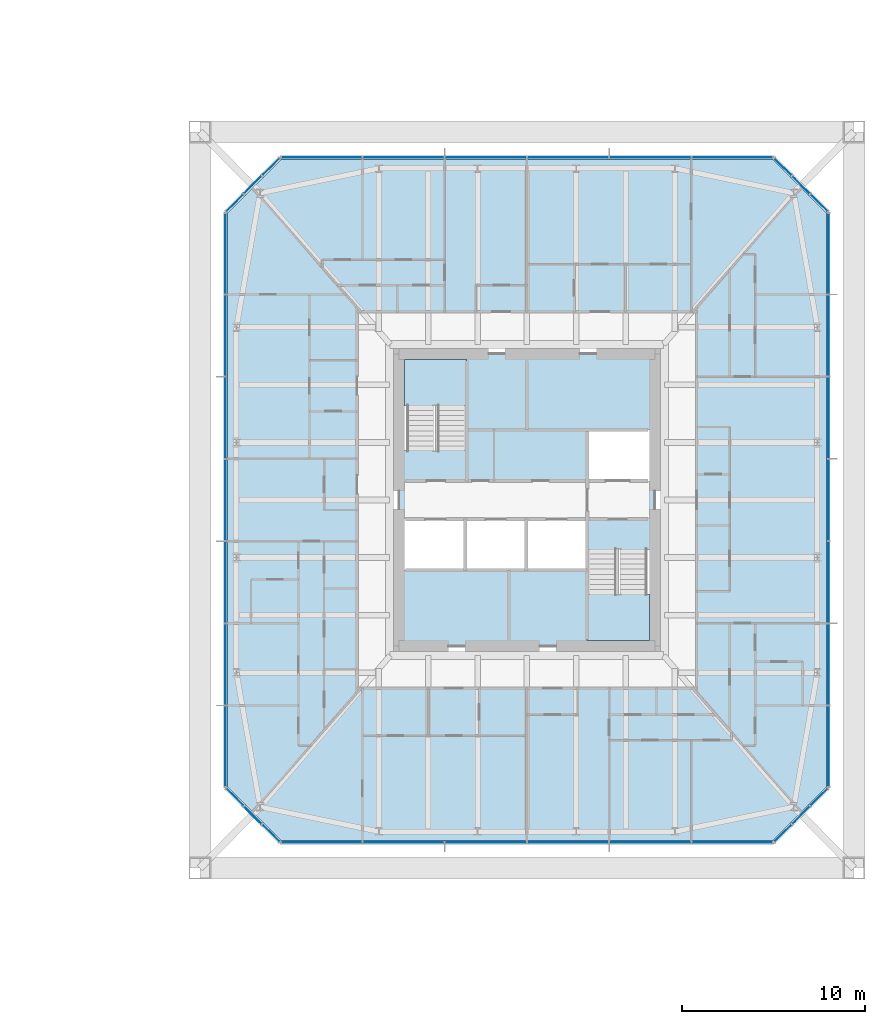
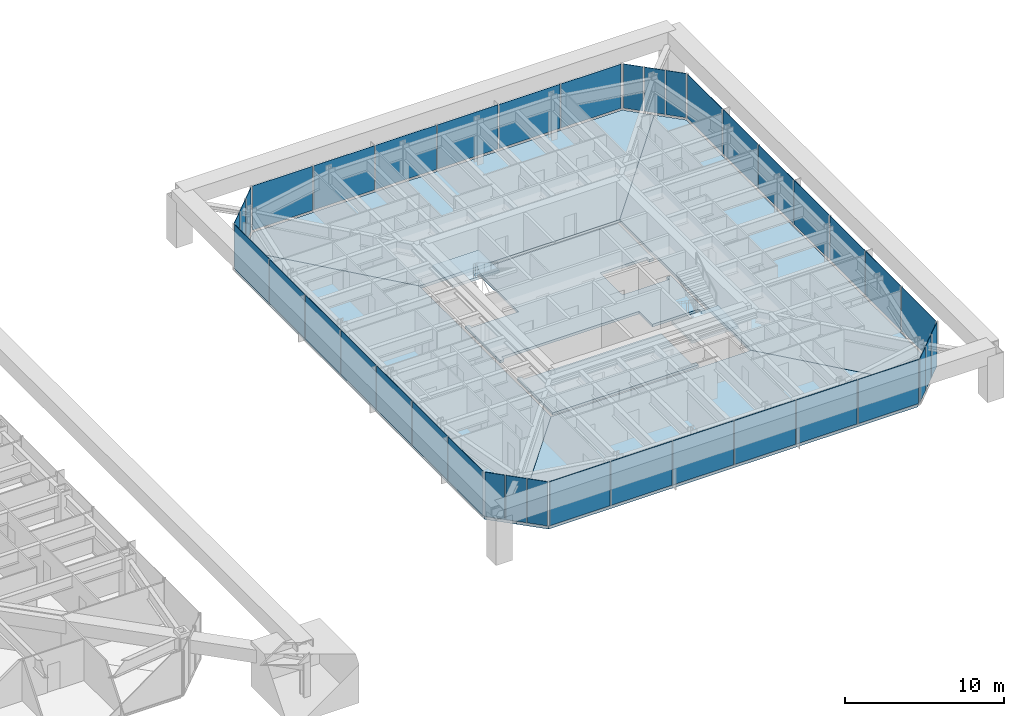
# One storey, part 19 of 32: 38 plates, 8 slabs, 10 elements without a shape of their own.
"""IFC4 building model written with IfcOpenShell, lengths in metres."""

from ifc_helpers import new_model, si_unit, direction, frame, origin, origin_2d, place, context, subcontext, project, spatial, polyline, rectangle, outline, extrude, material, layer, layer_set, constituent, constituent_set, type_object, element, aggregate, save


model = new_model("IFC4")

# Units and contexts
model_context = context("Model", 3, precision=1e-05, world=origin(), true_north=direction((0.0, 1.0)))
body_context = subcontext(model_context, "Body", "Model", "MODEL_VIEW")
ifc_project = project(units=[si_unit("LENGTHUNIT", "METRE"), si_unit("AREAUNIT", "SQUARE_METRE"), si_unit("VOLUMEUNIT", "CUBIC_METRE"), si_unit("PLANEANGLEUNIT", "RADIAN"), si_unit("MASSUNIT", "GRAM", prefix="KILO")], contexts=[model_context])

# Site, building, storey
site_placement = place(None, origin())
site = spatial("IfcSite", under=ifc_project, at=site_placement, CompositionType="ELEMENT")
building_placement = place(site_placement, origin())
building = spatial("IfcBuilding", under=site, at=building_placement, Name="Iwan Alto Co-Living Towers", CompositionType="ELEMENT")
storey_placement = place(building_placement, frame((0.0, 0.0, 71.0)))
storey = spatial("IfcBuildingStorey", under=building, at=storey_placement, Name="L19", CompositionType="ELEMENT", Elevation=71.0)

# Slabs
ifc_material_1 = material(Name="Concrete f'c 30 MPa", Category="concrete")
ifc_layer_1 = layer(ifc_material_1, 0.199951171875)
ifc_layer_set_1 = layer_set([ifc_layer_1], Name="CORE FLOOR SLAB 200")
slab_type_1 = type_object("IfcSlabType", Name="CORE FLOOR SLAB 200", PredefinedType="FLOOR", material=ifc_layer_set_1)
slab_1_placement = place(storey_placement, frame((0.0, 0.0, -0.199951171875)))
element("IfcSlab", 1, at=slab_1_placement, inside=storey, type_object=slab_type_1, Name="T2 core floor L19", PredefinedType="FLOOR", context=body_context, shape_type="SweptSolid", body=[
    extrude(outline(polyline([(70.0, -3.030029296875), (69.699951171875, -3.030029296875), (69.699951171875, -2.719970703125), (66.300048828125, -2.719970703125), (66.300048828125, -1.050048828125), (62.967041015625, -1.050048828125), (59.633056640625, -1.050048828125), (56.300048828125, -1.050048828125), (56.300048828125, -1.360107421875), (56.0, -1.360107421875), (56.0, 3.030029296875), (56.300048828125, 3.030029296875), (56.300048828125, 2.719970703125), (59.699951171875, 2.719970703125), (59.699951171875, 7.699951171875), (59.389892578125, 7.699951171875), (59.389892578125, 8.0), (70.0, 8.0), (70.0, 3.5400390625), (69.699951171875, 3.5400390625), (69.699951171875, 3.85009765625), (66.300048828125, 3.85009765625), (66.300048828125, 1.050048828125), (69.699951171875, 1.050048828125), (69.699951171875, 1.360107421875), (70.0, 1.360107421875), (70.0, -3.030029296875)])), origin(), (0.0, 0.0, 1.0), 0.199951171875),
])
slab_2_placement = place(storey_placement, frame((0.0, 0.0, -0.199951171875)))
element("IfcSlab", 2, at=slab_2_placement, inside=storey, type_object=slab_type_1, Name="T2 core floor L19", PredefinedType="FLOOR", context=body_context, shape_type="SweptSolid", body=[
    extrude(outline(polyline([(62.967041015625, -3.85009765625), (66.300048828125, -3.85009765625), (66.300048828125, -7.699951171875), (66.610107421875, -7.699951171875), (66.610107421875, -8.0), (56.0, -8.0), (56.0, -3.5400390625), (56.300048828125, -3.5400390625), (56.300048828125, -3.85009765625), (59.633056640625, -3.85009765625), (62.967041015625, -3.85009765625)])), origin(), (0.0, 0.0, 1.0), 0.199951171875),
])

# Curtain wall, plates
ifc_material_2 = material(Name="Bronze aluminium unitised frame", Category="aluminium")
curtain_wall_type_1 = type_object("IfcCurtainWallType", Name="CURTAIN WALL CW-C", PredefinedType="NOTDEFINED", material=ifc_material_2)
curtain_wall_1_placement = place(storey_placement, origin())
curtain_wall_1 = element("IfcCurtainWall", 3, at=curtain_wall_1_placement, inside=storey, type_object=curtain_wall_type_1, Name="T2 curtain wall S L19", PredefinedType="NOTDEFINED")
ifc_material_3 = material(Name="Bronze-tinted insulating glass", Category="glass")
ifc_layer_2 = layer(ifc_material_3, 0.031982421875)
ifc_layer_set_2 = layer_set([ifc_layer_2], Name="CW-C PANEL TINTED IGU 32")
plate_type_1 = type_object("IfcPlateType", Name="CW-C PANEL TINTED IGU 32", PredefinedType="CURTAIN_PANEL", material=ifc_layer_set_2)
plate_1_placement = place(storey_placement, frame((51.77001953125, -18.75, 0.10009765625), z_axis=(0.0, 0.0, 1.0), x_axis=(1.0, 0.0, 0.0)))
plate_1 = element("IfcPlate", 4, at=plate_1_placement, type_object=plate_type_1, Name="CW-C panel 1.1", PredefinedType="CURTAIN_PANEL", context=body_context, shape_type="SweptSolid", body=[
    extrude(rectangle(XDim=4.3798828125, YDim=0.031982421875, at=origin_2d()), origin(), (0.0, 0.0, 1.0), 3.39990234375),
])
plate_2_placement = place(storey_placement, frame((56.25, -18.75, 0.10009765625), z_axis=(0.0, 0.0, 1.0), x_axis=(1.0, 0.0, 0.0)))
plate_2 = element("IfcPlate", 5, at=plate_2_placement, type_object=plate_type_1, Name="CW-C panel 2.1", PredefinedType="CURTAIN_PANEL", context=body_context, shape_type="SweptSolid", body=[
    extrude(rectangle(XDim=4.419921875, YDim=0.031982421875, at=origin_2d()), origin(), (0.0, 0.0, 1.0), 3.39990234375),
])
plate_3_placement = place(storey_placement, frame((60.75, -18.75, 0.10009765625), z_axis=(0.0, 0.0, 1.0), x_axis=(1.0, 0.0, 0.0)))
plate_3 = element("IfcPlate", 6, at=plate_3_placement, type_object=plate_type_1, Name="CW-C panel 3.1", PredefinedType="CURTAIN_PANEL", context=body_context, shape_type="SweptSolid", body=[
    extrude(rectangle(XDim=4.419921875, YDim=0.031982421875, at=origin_2d()), origin(), (0.0, 0.0, 1.0), 3.39990234375),
])
plate_4_placement = place(storey_placement, frame((65.25, -18.75, 0.10009765625), z_axis=(0.0, 0.0, 1.0), x_axis=(1.0, 0.0, 0.0)))
plate_4 = element("IfcPlate", 7, at=plate_4_placement, type_object=plate_type_1, Name="CW-C panel 4.1", PredefinedType="CURTAIN_PANEL", context=body_context, shape_type="SweptSolid", body=[
    extrude(rectangle(XDim=4.419921875, YDim=0.031982421875, at=origin_2d()), origin(), (0.0, 0.0, 1.0), 3.39990234375),
])
plate_5_placement = place(storey_placement, frame((69.75, -18.75, 0.10009765625), z_axis=(0.0, 0.0, 1.0), x_axis=(1.0, 0.0, 0.0)))
plate_5 = element("IfcPlate", 8, at=plate_5_placement, type_object=plate_type_1, Name="CW-C panel 5.1", PredefinedType="CURTAIN_PANEL", context=body_context, shape_type="SweptSolid", body=[
    extrude(rectangle(XDim=4.419921875, YDim=0.031982421875, at=origin_2d()), origin(), (0.0, 0.0, 1.0), 3.39990234375),
])
plate_6_placement = place(storey_placement, frame((74.22998046875, -18.75, 0.10009765625), z_axis=(0.0, 0.0, 1.0), x_axis=(1.0, 0.0, 0.0)))
plate_6 = element("IfcPlate", 9, at=plate_6_placement, type_object=plate_type_1, Name="CW-C panel 6.1", PredefinedType="CURTAIN_PANEL", context=body_context, shape_type="SweptSolid", body=[
    extrude(rectangle(XDim=4.3798828125, YDim=0.031982421875, at=origin_2d()), origin(), (0.0, 0.0, 1.0), 3.39990234375),
])
aggregate(curtain_wall_1, [plate_1, plate_2, plate_3, plate_4, plate_5, plate_6])

curtain_wall_2_placement = place(storey_placement, origin())
curtain_wall_2 = element("IfcCurtainWall", 10, at=curtain_wall_2_placement, inside=storey, type_object=curtain_wall_type_1, Name="T2 curtain wall E L19", PredefinedType="NOTDEFINED")
plate_7_placement = place(storey_placement, frame((79.5, -13.47998046875, 0.10009765625), z_axis=(0.0, 0.0, 1.0), x_axis=(0.0, 1.0, 0.0)))
plate_7 = element("IfcPlate", 11, at=plate_7_placement, type_object=plate_type_1, Name="CW-C panel 1.1", PredefinedType="CURTAIN_PANEL", context=body_context, shape_type="SweptSolid", body=[
    extrude(rectangle(XDim=4.3798828125, YDim=0.031982421875, at=origin_2d()), origin(), (0.0, 0.0, 1.0), 3.39990234375),
])
plate_8_placement = place(storey_placement, frame((79.5, -9.0, 0.10009765625), z_axis=(0.0, 0.0, 1.0), x_axis=(0.0, 1.0, 0.0)))
plate_8 = element("IfcPlate", 12, at=plate_8_placement, type_object=plate_type_1, Name="CW-C panel 2.1", PredefinedType="CURTAIN_PANEL", context=body_context, shape_type="SweptSolid", body=[
    extrude(rectangle(XDim=4.419921875, YDim=0.031982421875, at=origin_2d()), origin(), (0.0, 0.0, 1.0), 3.39990234375),
])
plate_9_placement = place(storey_placement, frame((79.5, -4.5, 0.10009765625), z_axis=(0.0, 0.0, 1.0), x_axis=(0.0, 1.0, 0.0)))
plate_9 = element("IfcPlate", 13, at=plate_9_placement, type_object=plate_type_1, Name="CW-C panel 3.1", PredefinedType="CURTAIN_PANEL", context=body_context, shape_type="SweptSolid", body=[
    extrude(rectangle(XDim=4.419921875, YDim=0.031982421875, at=origin_2d()), origin(), (0.0, 0.0, 1.0), 3.39990234375),
])
plate_10_placement = place(storey_placement, frame((79.5, 0.0, 0.10009765625), z_axis=(0.0, 0.0, 1.0), x_axis=(0.0, 1.0, 0.0)))
plate_10 = element("IfcPlate", 14, at=plate_10_placement, type_object=plate_type_1, Name="CW-C panel 4.1", PredefinedType="CURTAIN_PANEL", context=body_context, shape_type="SweptSolid", body=[
    extrude(rectangle(XDim=4.419921875, YDim=0.031982421875, at=origin_2d()), origin(), (0.0, 0.0, 1.0), 3.39990234375),
])
plate_11_placement = place(storey_placement, frame((79.5, 4.5, 0.10009765625), z_axis=(0.0, 0.0, 1.0), x_axis=(0.0, 1.0, 0.0)))
plate_11 = element("IfcPlate", 15, at=plate_11_placement, type_object=plate_type_1, Name="CW-C panel 5.1", PredefinedType="CURTAIN_PANEL", context=body_context, shape_type="SweptSolid", body=[
    extrude(rectangle(XDim=4.419921875, YDim=0.031982421875, at=origin_2d()), origin(), (0.0, 0.0, 1.0), 3.39990234375),
])
plate_12_placement = place(storey_placement, frame((79.5, 9.0, 0.10009765625), z_axis=(0.0, 0.0, 1.0), x_axis=(0.0, 1.0, 0.0)))
plate_12 = element("IfcPlate", 16, at=plate_12_placement, type_object=plate_type_1, Name="CW-C panel 6.1", PredefinedType="CURTAIN_PANEL", context=body_context, shape_type="SweptSolid", body=[
    extrude(rectangle(XDim=4.419921875, YDim=0.031982421875, at=origin_2d()), origin(), (0.0, 0.0, 1.0), 3.39990234375),
])
plate_13_placement = place(storey_placement, frame((79.5, 13.47998046875, 0.10009765625), z_axis=(0.0, 0.0, 1.0), x_axis=(0.0, 1.0, 0.0)))
plate_13 = element("IfcPlate", 17, at=plate_13_placement, type_object=plate_type_1, Name="CW-C panel 7.1", PredefinedType="CURTAIN_PANEL", context=body_context, shape_type="SweptSolid", body=[
    extrude(rectangle(XDim=4.3798828125, YDim=0.031982421875, at=origin_2d()), origin(), (0.0, 0.0, 1.0), 3.39990234375),
])
aggregate(curtain_wall_2, [plate_7, plate_8, plate_9, plate_10, plate_11, plate_12, plate_13])

curtain_wall_3_placement = place(storey_placement, origin())
curtain_wall_3 = element("IfcCurtainWall", 18, at=curtain_wall_3_placement, inside=storey, type_object=curtain_wall_type_1, Name="T2 curtain wall N L19", PredefinedType="NOTDEFINED")
plate_14_placement = place(storey_placement, frame((74.22998046875, 18.75, 0.10009765625), z_axis=(0.0, 0.0, 1.0), x_axis=(-1.0, 0.0, 0.0)))
plate_14 = element("IfcPlate", 19, at=plate_14_placement, type_object=plate_type_1, Name="CW-C panel 1.1", PredefinedType="CURTAIN_PANEL", context=body_context, shape_type="SweptSolid", body=[
    extrude(rectangle(XDim=4.3798828125, YDim=0.031982421875, at=origin_2d()), origin(), (0.0, 0.0, 1.0), 3.39990234375),
])
plate_15_placement = place(storey_placement, frame((69.75, 18.75, 0.10009765625), z_axis=(0.0, 0.0, 1.0), x_axis=(-1.0, 0.0, 0.0)))
plate_15 = element("IfcPlate", 20, at=plate_15_placement, type_object=plate_type_1, Name="CW-C panel 2.1", PredefinedType="CURTAIN_PANEL", context=body_context, shape_type="SweptSolid", body=[
    extrude(rectangle(XDim=4.419921875, YDim=0.031982421875, at=origin_2d()), origin(), (0.0, 0.0, 1.0), 3.39990234375),
])
plate_16_placement = place(storey_placement, frame((65.25, 18.75, 0.10009765625), z_axis=(0.0, 0.0, 1.0), x_axis=(-1.0, 0.0, 0.0)))
plate_16 = element("IfcPlate", 21, at=plate_16_placement, type_object=plate_type_1, Name="CW-C panel 3.1", PredefinedType="CURTAIN_PANEL", context=body_context, shape_type="SweptSolid", body=[
    extrude(rectangle(XDim=4.419921875, YDim=0.031982421875, at=origin_2d()), origin(), (0.0, 0.0, 1.0), 3.39990234375),
])
plate_17_placement = place(storey_placement, frame((60.75, 18.75, 0.10009765625), z_axis=(0.0, 0.0, 1.0), x_axis=(-1.0, 0.0, 0.0)))
plate_17 = element("IfcPlate", 22, at=plate_17_placement, type_object=plate_type_1, Name="CW-C panel 4.1", PredefinedType="CURTAIN_PANEL", context=body_context, shape_type="SweptSolid", body=[
    extrude(rectangle(XDim=4.419921875, YDim=0.031982421875, at=origin_2d()), origin(), (0.0, 0.0, 1.0), 3.39990234375),
])
plate_18_placement = place(storey_placement, frame((56.25, 18.75, 0.10009765625), z_axis=(0.0, 0.0, 1.0), x_axis=(-1.0, 0.0, 0.0)))
plate_18 = element("IfcPlate", 23, at=plate_18_placement, type_object=plate_type_1, Name="CW-C panel 5.1", PredefinedType="CURTAIN_PANEL", context=body_context, shape_type="SweptSolid", body=[
    extrude(rectangle(XDim=4.419921875, YDim=0.031982421875, at=origin_2d()), origin(), (0.0, 0.0, 1.0), 3.39990234375),
])
plate_19_placement = place(storey_placement, frame((51.77001953125, 18.75, 0.10009765625), z_axis=(0.0, 0.0, 1.0), x_axis=(-1.0, 0.0, 0.0)))
plate_19 = element("IfcPlate", 24, at=plate_19_placement, type_object=plate_type_1, Name="CW-C panel 6.1", PredefinedType="CURTAIN_PANEL", context=body_context, shape_type="SweptSolid", body=[
    extrude(rectangle(XDim=4.3798828125, YDim=0.031982421875, at=origin_2d()), origin(), (0.0, 0.0, 1.0), 3.39990234375),
])
aggregate(curtain_wall_3, [plate_14, plate_15, plate_16, plate_17, plate_18, plate_19])

curtain_wall_4_placement = place(storey_placement, origin())
curtain_wall_4 = element("IfcCurtainWall", 25, at=curtain_wall_4_placement, inside=storey, type_object=curtain_wall_type_1, Name="T2 curtain wall W L19", PredefinedType="NOTDEFINED")
plate_20_placement = place(storey_placement, frame((46.5, 13.47998046875, 0.10009765625), z_axis=(0.0, 0.0, 1.0), x_axis=(0.0, -1.0, 0.0)))
plate_20 = element("IfcPlate", 26, at=plate_20_placement, type_object=plate_type_1, Name="CW-C panel 1.1", PredefinedType="CURTAIN_PANEL", context=body_context, shape_type="SweptSolid", body=[
    extrude(rectangle(XDim=4.3798828125, YDim=0.031982421875, at=origin_2d()), origin(), (0.0, 0.0, 1.0), 3.39990234375),
])
plate_21_placement = place(storey_placement, frame((46.5, 9.0, 0.10009765625), z_axis=(0.0, 0.0, 1.0), x_axis=(0.0, -1.0, 0.0)))
plate_21 = element("IfcPlate", 27, at=plate_21_placement, type_object=plate_type_1, Name="CW-C panel 2.1", PredefinedType="CURTAIN_PANEL", context=body_context, shape_type="SweptSolid", body=[
    extrude(rectangle(XDim=4.419921875, YDim=0.031982421875, at=origin_2d()), origin(), (0.0, 0.0, 1.0), 3.39990234375),
])
plate_22_placement = place(storey_placement, frame((46.5, 4.5, 0.10009765625), z_axis=(0.0, 0.0, 1.0), x_axis=(0.0, -1.0, 0.0)))
plate_22 = element("IfcPlate", 28, at=plate_22_placement, type_object=plate_type_1, Name="CW-C panel 3.1", PredefinedType="CURTAIN_PANEL", context=body_context, shape_type="SweptSolid", body=[
    extrude(rectangle(XDim=4.419921875, YDim=0.031982421875, at=origin_2d()), origin(), (0.0, 0.0, 1.0), 3.39990234375),
])
plate_23_placement = place(storey_placement, frame((46.5, 0.0, 0.10009765625), z_axis=(0.0, 0.0, 1.0), x_axis=(0.0, -1.0, 0.0)))
plate_23 = element("IfcPlate", 29, at=plate_23_placement, type_object=plate_type_1, Name="CW-C panel 4.1", PredefinedType="CURTAIN_PANEL", context=body_context, shape_type="SweptSolid", body=[
    extrude(rectangle(XDim=4.419921875, YDim=0.031982421875, at=origin_2d()), origin(), (0.0, 0.0, 1.0), 3.39990234375),
])
plate_24_placement = place(storey_placement, frame((46.5, -4.5, 0.10009765625), z_axis=(0.0, 0.0, 1.0), x_axis=(0.0, -1.0, 0.0)))
plate_24 = element("IfcPlate", 30, at=plate_24_placement, type_object=plate_type_1, Name="CW-C panel 5.1", PredefinedType="CURTAIN_PANEL", context=body_context, shape_type="SweptSolid", body=[
    extrude(rectangle(XDim=4.419921875, YDim=0.031982421875, at=origin_2d()), origin(), (0.0, 0.0, 1.0), 3.39990234375),
])
plate_25_placement = place(storey_placement, frame((46.5, -9.0, 0.10009765625), z_axis=(0.0, 0.0, 1.0), x_axis=(0.0, -1.0, 0.0)))
plate_25 = element("IfcPlate", 31, at=plate_25_placement, type_object=plate_type_1, Name="CW-C panel 6.1", PredefinedType="CURTAIN_PANEL", context=body_context, shape_type="SweptSolid", body=[
    extrude(rectangle(XDim=4.419921875, YDim=0.031982421875, at=origin_2d()), origin(), (0.0, 0.0, 1.0), 3.39990234375),
])
plate_26_placement = place(storey_placement, frame((46.5, -13.47998046875, 0.10009765625), z_axis=(0.0, 0.0, 1.0), x_axis=(0.0, -1.0, 0.0)))
plate_26 = element("IfcPlate", 32, at=plate_26_placement, type_object=plate_type_1, Name="CW-C panel 7.1", PredefinedType="CURTAIN_PANEL", context=body_context, shape_type="SweptSolid", body=[
    extrude(rectangle(XDim=4.3798828125, YDim=0.031982421875, at=origin_2d()), origin(), (0.0, 0.0, 1.0), 3.39990234375),
])
aggregate(curtain_wall_4, [plate_20, plate_21, plate_22, plate_23, plate_24, plate_25, plate_26])

ifc_material_4 = material(Name="Bronze aluminium unitised frame", Category="aluminium")
curtain_wall_type_2 = type_object("IfcCurtainWallType", Name="CURTAIN WALL CW-D", PredefinedType="NOTDEFINED", material=ifc_material_4)
curtain_wall_5_placement = place(storey_placement, origin())
curtain_wall_5 = element("IfcCurtainWall", 33, at=curtain_wall_5_placement, inside=storey, type_object=curtain_wall_type_2, Name="T2 chamfer curtain wall SE L19", PredefinedType="NOTDEFINED")
ifc_material_5 = material(Name="Bronze-tinted insulating glass", Category="glass")
ifc_layer_3 = layer(ifc_material_5, 0.031982421875)
ifc_layer_set_3 = layer_set([ifc_layer_3], Name="CW-D PANEL TINTED IGU 32")
plate_type_2 = type_object("IfcPlateType", Name="CW-D PANEL TINTED IGU 32", PredefinedType="CURTAIN_PANEL", material=ifc_layer_set_3)
plate_27_placement = place(storey_placement, frame((77.01416015625, -18.23583984375, 0.10009765625), z_axis=(0.0, 0.0, 1.0), x_axis=(0.707106781187, 0.707106781187, 0.0)))
plate_27 = element("IfcPlate", 34, at=plate_27_placement, type_object=plate_type_2, Name="CW-D panel 1.1", PredefinedType="CURTAIN_PANEL", context=body_context, shape_type="SweptSolid", body=[
    extrude(rectangle(XDim=1.294189453125, YDim=0.031982421875, at=origin_2d()), origin(), (0.0, 0.0, 1.0), 3.39990234375),
])
plate_28_placement = place(storey_placement, frame((78.0, -17.25, 0.10009765625), z_axis=(0.0, 0.0, 1.0), x_axis=(0.707106781187, 0.707106781187, 0.0)))
plate_28 = element("IfcPlate", 35, at=plate_28_placement, type_object=plate_type_2, Name="CW-D panel 2.1", PredefinedType="CURTAIN_PANEL", context=body_context, shape_type="SweptSolid", body=[
    extrude(rectangle(XDim=1.334228515625, YDim=0.031982421875, at=origin_2d()), origin(), (0.0, 0.0, 1.0), 3.39990234375),
])
plate_29_placement = place(storey_placement, frame((78.98583984375, -16.26416015625, 0.10009765625), z_axis=(0.0, 0.0, 1.0), x_axis=(0.707106781187, 0.707106781187, 0.0)))
plate_29 = element("IfcPlate", 36, at=plate_29_placement, type_object=plate_type_2, Name="CW-D panel 3.1", PredefinedType="CURTAIN_PANEL", context=body_context, shape_type="SweptSolid", body=[
    extrude(rectangle(XDim=1.294189453125, YDim=0.031982421875, at=origin_2d()), origin(), (0.0, 0.0, 1.0), 3.39990234375),
])
aggregate(curtain_wall_5, [plate_27, plate_28, plate_29])

curtain_wall_6_placement = place(storey_placement, origin())
curtain_wall_6 = element("IfcCurtainWall", 37, at=curtain_wall_6_placement, inside=storey, type_object=curtain_wall_type_2, Name="T2 chamfer curtain wall NE L19", PredefinedType="NOTDEFINED")
plate_30_placement = place(storey_placement, frame((78.98583984375, 16.26416015625, 0.10009765625), z_axis=(0.0, 0.0, 1.0), x_axis=(-0.707106781187, 0.707106781187, 0.0)))
plate_30 = element("IfcPlate", 38, at=plate_30_placement, type_object=plate_type_2, Name="CW-D panel 1.1", PredefinedType="CURTAIN_PANEL", context=body_context, shape_type="SweptSolid", body=[
    extrude(rectangle(XDim=1.294189453125, YDim=0.031982421875, at=origin_2d()), origin(), (0.0, 0.0, 1.0), 3.39990234375),
])
plate_31_placement = place(storey_placement, frame((78.0, 17.25, 0.10009765625), z_axis=(0.0, 0.0, 1.0), x_axis=(-0.707106781187, 0.707106781187, 0.0)))
plate_31 = element("IfcPlate", 39, at=plate_31_placement, type_object=plate_type_2, Name="CW-D panel 2.1", PredefinedType="CURTAIN_PANEL", context=body_context, shape_type="SweptSolid", body=[
    extrude(rectangle(XDim=1.334228515625, YDim=0.031982421875, at=origin_2d()), origin(), (0.0, 0.0, 1.0), 3.39990234375),
])
plate_32_placement = place(storey_placement, frame((77.01416015625, 18.23583984375, 0.10009765625), z_axis=(0.0, 0.0, 1.0), x_axis=(-0.707106781187, 0.707106781187, 0.0)))
plate_32 = element("IfcPlate", 40, at=plate_32_placement, type_object=plate_type_2, Name="CW-D panel 3.1", PredefinedType="CURTAIN_PANEL", context=body_context, shape_type="SweptSolid", body=[
    extrude(rectangle(XDim=1.294189453125, YDim=0.031982421875, at=origin_2d()), origin(), (0.0, 0.0, 1.0), 3.39990234375),
])
aggregate(curtain_wall_6, [plate_30, plate_31, plate_32])

curtain_wall_7_placement = place(storey_placement, origin())
curtain_wall_7 = element("IfcCurtainWall", 41, at=curtain_wall_7_placement, inside=storey, type_object=curtain_wall_type_2, Name="T2 chamfer curtain wall NW L19", PredefinedType="NOTDEFINED")
plate_33_placement = place(storey_placement, frame((48.98583984375, 18.23583984375, 0.10009765625), z_axis=(0.0, 0.0, 1.0), x_axis=(-0.707106781187, -0.707106781187, 0.0)))
plate_33 = element("IfcPlate", 42, at=plate_33_placement, type_object=plate_type_2, Name="CW-D panel 1.1", PredefinedType="CURTAIN_PANEL", context=body_context, shape_type="SweptSolid", body=[
    extrude(rectangle(XDim=1.294189453125, YDim=0.031982421875, at=origin_2d()), origin(), (0.0, 0.0, 1.0), 3.39990234375),
])
plate_34_placement = place(storey_placement, frame((48.0, 17.25, 0.10009765625), z_axis=(0.0, 0.0, 1.0), x_axis=(-0.707106781187, -0.707106781187, 0.0)))
plate_34 = element("IfcPlate", 43, at=plate_34_placement, type_object=plate_type_2, Name="CW-D panel 2.1", PredefinedType="CURTAIN_PANEL", context=body_context, shape_type="SweptSolid", body=[
    extrude(rectangle(XDim=1.334228515625, YDim=0.031982421875, at=origin_2d()), origin(), (0.0, 0.0, 1.0), 3.39990234375),
])
plate_35_placement = place(storey_placement, frame((47.01416015625, 16.26416015625, 0.10009765625), z_axis=(0.0, 0.0, 1.0), x_axis=(-0.707106781187, -0.707106781187, 0.0)))
plate_35 = element("IfcPlate", 44, at=plate_35_placement, type_object=plate_type_2, Name="CW-D panel 3.1", PredefinedType="CURTAIN_PANEL", context=body_context, shape_type="SweptSolid", body=[
    extrude(rectangle(XDim=1.294189453125, YDim=0.031982421875, at=origin_2d()), origin(), (0.0, 0.0, 1.0), 3.39990234375),
])
aggregate(curtain_wall_7, [plate_33, plate_34, plate_35])

curtain_wall_8_placement = place(storey_placement, origin())
curtain_wall_8 = element("IfcCurtainWall", 45, at=curtain_wall_8_placement, inside=storey, type_object=curtain_wall_type_2, Name="T2 chamfer curtain wall SW L19", PredefinedType="NOTDEFINED")
plate_36_placement = place(storey_placement, frame((47.01416015625, -16.26416015625, 0.10009765625), z_axis=(0.0, 0.0, 1.0), x_axis=(0.707106781187, -0.707106781187, 0.0)))
plate_36 = element("IfcPlate", 46, at=plate_36_placement, type_object=plate_type_2, Name="CW-D panel 1.1", PredefinedType="CURTAIN_PANEL", context=body_context, shape_type="SweptSolid", body=[
    extrude(rectangle(XDim=1.294189453125, YDim=0.031982421875, at=origin_2d()), origin(), (0.0, 0.0, 1.0), 3.39990234375),
])
plate_37_placement = place(storey_placement, frame((48.0, -17.25, 0.10009765625), z_axis=(0.0, 0.0, 1.0), x_axis=(0.707106781187, -0.707106781187, 0.0)))
plate_37 = element("IfcPlate", 47, at=plate_37_placement, type_object=plate_type_2, Name="CW-D panel 2.1", PredefinedType="CURTAIN_PANEL", context=body_context, shape_type="SweptSolid", body=[
    extrude(rectangle(XDim=1.334228515625, YDim=0.031982421875, at=origin_2d()), origin(), (0.0, 0.0, 1.0), 3.39990234375),
])
plate_38_placement = place(storey_placement, frame((48.98583984375, -18.23583984375, 0.10009765625), z_axis=(0.0, 0.0, 1.0), x_axis=(0.707106781187, -0.707106781187, 0.0)))
plate_38 = element("IfcPlate", 48, at=plate_38_placement, type_object=plate_type_2, Name="CW-D panel 3.1", PredefinedType="CURTAIN_PANEL", context=body_context, shape_type="SweptSolid", body=[
    extrude(rectangle(XDim=1.294189453125, YDim=0.031982421875, at=origin_2d()), origin(), (0.0, 0.0, 1.0), 3.39990234375),
])
aggregate(curtain_wall_8, [plate_36, plate_37, plate_38])

# Stair, slab
ifc_material_6 = material(Name="Steel ASTM A36", Category="steel")
ifc_constituent_1 = constituent(ifc_material_6, Name="Stringers", Category="LoadBearing")
ifc_material_7 = material(Name="Concrete f'c 30 MPa", Category="concrete")
ifc_constituent_2 = constituent(ifc_material_7, Name="Tread fill", Category="Finish")
ifc_constituent_set = constituent_set(constituents=[ifc_constituent_1, ifc_constituent_2], Name="STAIR 3500 TWO-FLIGHT T2 CORE")
stair_type = type_object("IfcStairType", Name="STAIR 3500 TWO-FLIGHT T2 CORE", PredefinedType="HALF_TURN_STAIR", material=ifc_constituent_set)
stair_1_placement = place(storey_placement, origin())
stair_1 = element("IfcStair", 49, at=stair_1_placement, inside=storey, type_object=stair_type, Name="Stair T2-S1 L19 to L20", PredefinedType="HALF_TURN_STAIR")
ifc_material_8 = material(Name="Concrete f'c 30 MPa", Category="concrete")
ifc_layer_4 = layer(ifc_material_8, 0.199951171875)
ifc_layer_set_4 = layer_set([ifc_layer_4], Name="STAIR LANDING 200")
slab_type_2 = type_object("IfcSlabType", Name="STAIR LANDING 200", PredefinedType="LANDING", material=ifc_layer_set_4)
slab_3_placement = place(storey_placement, frame((0.0, 0.0, 1.550048828125)))
slab_3 = element("IfcSlab", 50, at=slab_3_placement, type_object=slab_type_2, Name="T2-S1 landing 1", PredefinedType="LANDING", context=body_context, shape_type="SweptSolid", body=[
    extrude(outline(polyline([(56.300048828125, 5.139892578125), (56.300048828125, 7.699951171875), (59.699951171875, 7.699951171875), (59.699951171875, 5.139892578125), (56.300048828125, 5.139892578125)])), origin(), (0.0, 0.0, 1.0), 0.199951171875),
])
aggregate(stair_1, [slab_3])

stair_2_placement = place(storey_placement, origin())
stair_2 = element("IfcStair", 51, at=stair_2_placement, inside=storey, type_object=stair_type, Name="Stair T2-S2 L19 to L20", PredefinedType="HALF_TURN_STAIR")
slab_4_placement = place(storey_placement, frame((0.0, 0.0, 1.550048828125)))
slab_4 = element("IfcSlab", 52, at=slab_4_placement, type_object=slab_type_2, Name="T2-S2 landing 1", PredefinedType="LANDING", context=body_context, shape_type="SweptSolid", body=[
    extrude(outline(polyline([(66.300048828125, -5.139892578125), (66.300048828125, -7.699951171875), (69.699951171875, -7.699951171875), (69.699951171875, -5.139892578125), (66.300048828125, -5.139892578125)])), origin(), (0.0, 0.0, 1.0), 0.199951171875),
])
aggregate(stair_2, [slab_4])

# Slabs
ifc_material_9 = material(Name="Concrete f'c 30 MPa", Category="concrete")
ifc_layer_5 = layer(ifc_material_9, 0.22998046875)
ifc_layer_set_5 = layer_set([ifc_layer_5], Name="T2 FLOOR SLAB 230")
slab_type_3 = type_object("IfcSlabType", Name="T2 FLOOR SLAB 230", PredefinedType="FLOOR", material=ifc_layer_set_5)
slab_5_placement = place(storey_placement, frame((0.0, 0.0, -0.22998046875)))
element("IfcSlab", 53, at=slab_5_placement, inside=storey, type_object=slab_type_3, Name="T2 floor slab L19 S pour", PredefinedType="FLOOR", context=body_context, shape_type="SweptSolid", body=[
    extrude(outline(polyline([(76.44140625, -18.64990234375), (49.55859375, -18.64990234375), (48.07568359375, -17.1669921875), (55.699951171875, -8.300048828125), (70.300048828125, -8.300048828125), (77.92431640625, -17.1669921875), (76.44140625, -18.64990234375)])), origin(), (0.0, 0.0, 1.0), 0.22998046875),
])
slab_6_placement = place(storey_placement, frame((0.0, 0.0, -0.22998046875)))
element("IfcSlab", 54, at=slab_6_placement, inside=storey, type_object=slab_type_3, Name="T2 floor slab L19 E pour", PredefinedType="FLOOR", context=body_context, shape_type="SweptSolid", body=[
    extrude(outline(polyline([(79.39990234375, 15.69140625), (79.39990234375, -15.69140625), (77.92431640625, -17.1669921875), (70.300048828125, -8.300048828125), (70.300048828125, 8.300048828125), (77.92431640625, 17.1669921875), (79.39990234375, 15.69140625)])), origin(), (0.0, 0.0, 1.0), 0.22998046875),
])
slab_7_placement = place(storey_placement, frame((0.0, 0.0, -0.22998046875)))
element("IfcSlab", 55, at=slab_7_placement, inside=storey, type_object=slab_type_3, Name="T2 floor slab L19 N pour", PredefinedType="FLOOR", context=body_context, shape_type="SweptSolid", body=[
    extrude(outline(polyline([(49.55859375, 18.64990234375), (76.44140625, 18.64990234375), (77.92431640625, 17.1669921875), (70.300048828125, 8.300048828125), (55.699951171875, 8.300048828125), (48.07568359375, 17.1669921875), (49.55859375, 18.64990234375)])), origin(), (0.0, 0.0, 1.0), 0.22998046875),
])
slab_8_placement = place(storey_placement, frame((0.0, 0.0, -0.22998046875)))
element("IfcSlab", 56, at=slab_8_placement, inside=storey, type_object=slab_type_3, Name="T2 floor slab L19 W pour", PredefinedType="FLOOR", context=body_context, shape_type="SweptSolid", body=[
    extrude(outline(polyline([(46.60009765625, 15.69140625), (48.07568359375, 17.1669921875), (55.699951171875, 8.300048828125), (55.699951171875, -8.300048828125), (48.07568359375, -17.1669921875), (46.60009765625, -15.69140625), (46.60009765625, 15.69140625)])), origin(), (0.0, 0.0, 1.0), 0.22998046875),
])

save(model, "model.ifc")
